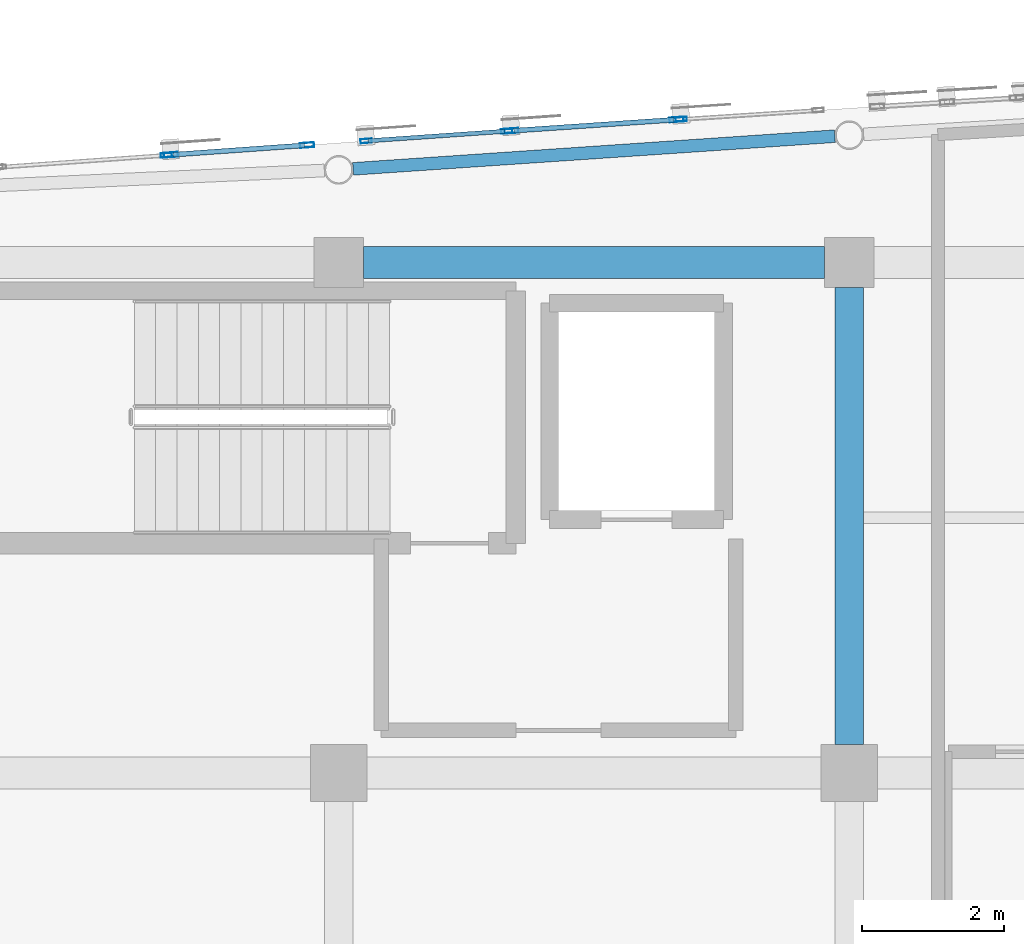
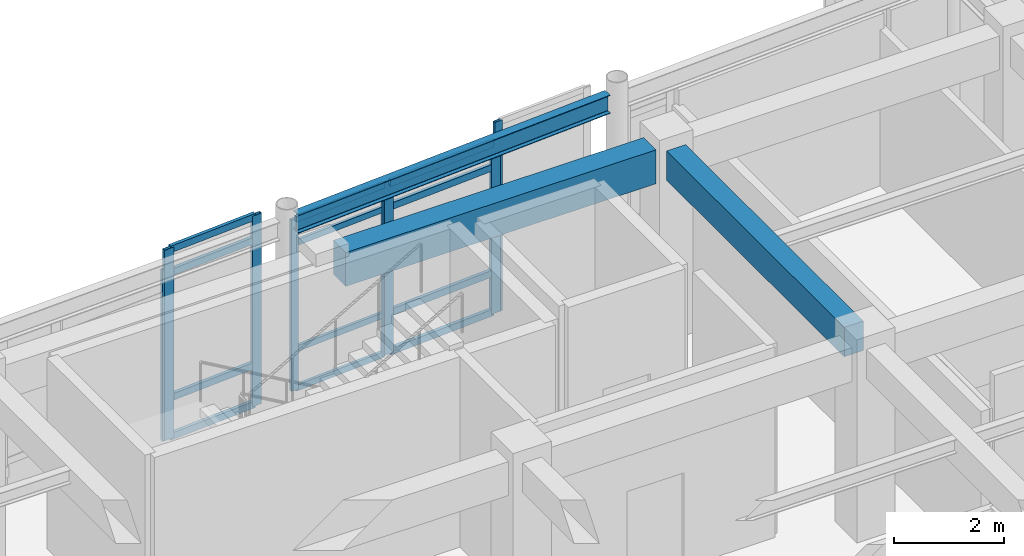
# One storey, part 32 of 106: 20 members, 3 beams, 5 elements without a shape of their own.
"""IFC4 building model written with IfcOpenShell, lengths in metres."""

import ifcopenshell
import ifcopenshell.guid

model = None  # the IFC model being written
_history = None  # IfcOwnerHistory: only IFC2X3 demands one
_inside = {}  # id of a spatial element -> (the spatial element, [elements in it])
_under = {}  # id of a project, library or spatial element -> (it, [spatial elements below it])
_declared = {}  # id of a project -> (the project, [libraries it declares])
_typed = {}  # id of a type object -> (the type object, [elements of that type])
_made_of = {}  # id of a material, layer set ... -> (it, [elements and type objects made of it])


def new_model(schema):
    """Start an empty IFC model of exactly this schema.

    Asked for "IFC4X3", IfcOpenShell would pick the latest addendum, in which some entities
    have other attributes; the version numbers below select the first issue.
    IFC2X3 requires an IfcOwnerHistory on every rooted entity: one is made here for all.
    """
    global model, _history
    if schema == "IFC4X3":
        model = ifcopenshell.file(schema_version=(4, 3, 0, 0))
    else:
        model = ifcopenshell.file(schema=schema)
    _inside.clear()
    _under.clear()
    _declared.clear()
    _typed.clear()
    _made_of.clear()
    _history = None
    if model.schema == "IFC2X3":
        org = make("IfcOrganization", Name="unknown")
        user = make(
            "IfcPersonAndOrganization",
            ThePerson=make("IfcPerson", FamilyName="unknown"),
            TheOrganization=org,
        )
        app = make(
            "IfcApplication",
            ApplicationDeveloper=org,
            Version="unknown",
            ApplicationFullName="unknown",
            ApplicationIdentifier="unknown",
        )
        _history = make(
            "IfcOwnerHistory",
            OwningUser=user,
            OwningApplication=app,
            ChangeAction="ADDED",
            CreationDate=0,
        )
    return model


def make(cls, **values):
    """One entity of the class cls with the attributes given. An attribute that is None is left unset."""
    return model.create_entity(
        cls, **{name: value for name, value in values.items() if value is not None}
    )


def rooted(cls, **values):
    """An entity with a GlobalId (a new one), such as an element, a storey or a relation."""
    return make(cls, GlobalId=ifcopenshell.guid.new(), OwnerHistory=_history, **values)


def si_unit(unit_type, name, prefix=None):
    """IfcSIUnit, for example si_unit("LENGTHUNIT", "METRE", prefix="MILLI")."""
    return make("IfcSIUnit", UnitType=unit_type, Prefix=prefix, Name=name)


def assignment(units):
    """IfcUnitAssignment: the units of a project."""
    return None if units is None else make("IfcUnitAssignment", Units=units)


def point(xyz):
    """IfcCartesianPoint."""
    return None if xyz is None else make("IfcCartesianPoint", Coordinates=xyz)


def direction(xyz):
    """IfcDirection."""
    return None if xyz is None else make("IfcDirection", DirectionRatios=xyz)


def frame(location, z_axis=None, x_axis=None):
    """IfcAxis2Placement3D, a coordinate frame: its origin and axes. An axis left out is left unset."""
    return make(
        "IfcAxis2Placement3D",
        Location=point(location),
        Axis=direction(z_axis),
        RefDirection=direction(x_axis),
    )


def frame_2d(location, x_axis=None):
    """IfcAxis2Placement2D, a coordinate frame in the plane: its origin and x axis."""
    return make(
        "IfcAxis2Placement2D", Location=point(location), RefDirection=direction(x_axis)
    )


def origin():
    """The frame at (0, 0, 0) with its axes left unset."""
    return frame((0.0, 0.0, 0.0))


def origin_2d():
    """The frame at (0, 0) in the plane with its x axis left unset."""
    return frame_2d((0.0, 0.0))


def place(relative_to, where):
    """IfcLocalPlacement: puts the frame where relative to a parent placement (None: the world)."""
    return make(
        "IfcLocalPlacement", PlacementRelTo=relative_to, RelativePlacement=where
    )


def context(
    kind, dimensions, precision=None, world=None, true_north=None, identifier=None
):
    """IfcGeometricRepresentationContext, for example the 3D "Model" context."""
    return make(
        "IfcGeometricRepresentationContext",
        ContextIdentifier=identifier,
        ContextType=kind,
        CoordinateSpaceDimension=dimensions,
        Precision=precision,
        WorldCoordinateSystem=world,
        TrueNorth=true_north,
    )


def subcontext(parent, identifier, kind, view, scale=None):
    """IfcGeometricRepresentationSubContext, for example "Body" below "Model"."""
    return make(
        "IfcGeometricRepresentationSubContext",
        ContextIdentifier=identifier,
        ContextType=kind,
        ParentContext=parent,
        TargetScale=scale,
        TargetView=view,
    )


def project(units=None, contexts=None):
    """IfcProject with its units and contexts."""
    return rooted(
        "IfcProject",
        Name="project",
        RepresentationContexts=contexts,
        UnitsInContext=assignment(units),
    )


def spatial(cls, under=None, at=None, **own):
    """A site, building, storey or space (cls), placed at a placement, below another one or the project."""
    s = rooted(cls, ObjectPlacement=at, **own)
    if under is not None:
        _under.setdefault(under.id(), (under, []))[1].append(s)
    return s


def profile(cls, at=None, kind="AREA", **sizes):
    """A parametric profile (cls). Its sizes go by their IFC names, for example OverallWidth=200.0."""
    return make(cls, ProfileType=kind, Position=at, **sizes)


def rectangle(**sizes):
    """IfcRectangleProfileDef."""
    return profile("IfcRectangleProfileDef", **sizes)


def hollow_rectangle(**sizes):
    """IfcRectangleHollowProfileDef."""
    return profile("IfcRectangleHollowProfileDef", **sizes)


def i_section(**sizes):
    """IfcIShapeProfileDef."""
    return profile("IfcIShapeProfileDef", **sizes)


def extrude(swept, where, along, depth):
    """IfcExtrudedAreaSolid: the profile swept, set in the frame where, extruded along a direction by depth."""
    return make(
        "IfcExtrudedAreaSolid",
        SweptArea=swept,
        Position=where,
        ExtrudedDirection=direction(along),
        Depth=depth,
    )


def shape(context_of_items, identifier, shape_type, items):
    """IfcShapeRepresentation: the items that make up one representation, for example the "Body"."""
    return make(
        "IfcShapeRepresentation",
        ContextOfItems=context_of_items,
        RepresentationIdentifier=identifier,
        RepresentationType=shape_type,
        Items=items,
    )


def material(Name=None, Category=None):
    """IfcMaterial."""
    return make("IfcMaterial", Name=Name, Category=Category)


def layer(
    of_material, thickness, ventilated=None, Name=None, Category=None, Priority=None
):
    """IfcMaterialLayer: one layer of a wall or slab, of a material (None: an air gap)."""
    return make(
        "IfcMaterialLayer",
        Material=of_material,
        LayerThickness=thickness,
        IsVentilated=ventilated,
        Name=Name,
        Category=Category,
        Priority=Priority,
    )


def layer_set(layers, Name=None):
    """IfcMaterialLayerSet."""
    return make("IfcMaterialLayerSet", MaterialLayers=layers, LayerSetName=Name)


def material_profile(
    of_material, cross_section, Name=None, Category=None, Priority=None
):
    """IfcMaterialProfile: a cross section and its material."""
    return make(
        "IfcMaterialProfile",
        Name=Name,
        Material=of_material,
        Profile=cross_section,
        Priority=Priority,
        Category=Category,
    )


def profile_set(profiles, Name=None, composite=None):
    """IfcMaterialProfileSet."""
    return make(
        "IfcMaterialProfileSet",
        Name=Name,
        MaterialProfiles=profiles,
        CompositeProfile=composite,
    )


def made_of(thing, what):
    """Note that an element or type object is made of a material, layer set ...; save() writes the relation."""
    if what is not None:
        _made_of.setdefault(what.id(), (what, []))[1].append(thing)
    return thing


def type_object(cls, material=None, **own):
    """A type object (cls), such as IfcWallType, which elements share."""
    return made_of(rooted(cls, **own), material)


def element(
    cls,
    number,
    at=None,
    inside=None,
    cuts=None,
    type_object=None,
    material=None,
    context=None,
    identifier="Body",
    shape_type=None,
    held_by="IfcProductDefinitionShape",
    body=None,
    shapes=None,
    **own,
):
    """One element of the class cls, such as IfcWall. Its Tag is "e" and its number.

    at: its placement. inside: the storey or other place that contains it. cuts: it is an
    opening in that element (IfcRelVoidsElement). A single representation is given by context,
    identifier, shape_type and body (its items); several are given by shapes. held_by: the class
    of the entity that holds the representations. save() writes the other relations.
    """
    e = rooted(cls, Tag="e%d" % number, ObjectPlacement=at, **own)
    if body is not None:
        shapes = [shape(context, identifier, shape_type, body)]
    if shapes is not None:
        e.Representation = make(held_by, Representations=shapes)
    if inside is not None:
        _inside.setdefault(inside.id(), (inside, []))[1].append(e)
    if cuts is not None:
        rooted(
            "IfcRelVoidsElement", RelatingBuildingElement=cuts, RelatedOpeningElement=e
        )
    if type_object is not None:
        _typed.setdefault(type_object.id(), (type_object, []))[1].append(e)
    return made_of(e, material)


def aggregate(whole, parts):
    """IfcRelAggregates: a whole, such as a stair, and the parts it consists of."""
    return rooted("IfcRelAggregates", RelatingObject=whole, RelatedObjects=parts)


def save(model, path):
    """Write the relations noted so far, then the file.

    IfcRelAggregates (storeys below a building ...), IfcRelContainedInSpatialStructure (elements
    in a storey), IfcRelDefinesByType, IfcRelAssociatesMaterial and IfcRelDeclares: one each for
    every whole, place, type object, material and project.
    """
    for whole, parts in _under.values():
        aggregate(whole, parts)
    for where, things in _inside.values():
        rooted(
            "IfcRelContainedInSpatialStructure",
            RelatedElements=things,
            RelatingStructure=where,
        )
    for kind, things in _typed.values():
        rooted("IfcRelDefinesByType", RelatedObjects=things, RelatingType=kind)
    for what, things in _made_of.values():
        rooted("IfcRelAssociatesMaterial", RelatedObjects=things, RelatingMaterial=what)
    for by, libraries in _declared.values():
        rooted("IfcRelDeclares", RelatingContext=by, RelatedDefinitions=libraries)
    model.write(path)


model = new_model("IFC4")

# Units and contexts
model_context = context("Model", 3, precision=1e-05, world=origin(), true_north=direction((0.0, 1.0)))
body_context = subcontext(model_context, "Body", "Model", "MODEL_VIEW")
ifc_project = project(units=[si_unit("LENGTHUNIT", "METRE"), si_unit("AREAUNIT", "SQUARE_METRE"), si_unit("VOLUMEUNIT", "CUBIC_METRE"), si_unit("PLANEANGLEUNIT", "RADIAN"), si_unit("MASSUNIT", "GRAM", prefix="KILO")], contexts=[model_context])

# Site, building, storey
site_placement = place(None, origin())
site = spatial("IfcSite", under=ifc_project, at=site_placement, CompositionType="ELEMENT")
building_placement = place(site_placement, origin())
building = spatial("IfcBuilding", under=site, at=building_placement, Name="Carrowvane Square Congress Hotel", CompositionType="ELEMENT")
storey_placement = place(building_placement, frame((0.0, 0.0, 10.5)))
storey = spatial("IfcBuildingStorey", under=building, at=storey_placement, Name="L02", CompositionType="ELEMENT", Elevation=10.5)

# Beams
ifc_material_1 = material(Name="Concrete C35/45", Category="concrete")
ifc_material_profile_1 = material_profile(ifc_material_1, rectangle(XDim=0.39990234375, YDim=0.64990234375, at=origin_2d()), Name="RC 400x650")
ifc_profile_set_1 = profile_set([ifc_material_profile_1], Name="Concrete C35/45")
beam_type_1 = type_object("IfcBeamType", Name="BM-RC-400x650", PredefinedType="BEAM", material=ifc_profile_set_1)
beam_1_placement = place(storey_placement, frame((69.199951171875, 106.60009765625, 3.89501953125), z_axis=(0.0, 1.0, 0.0), x_axis=(-1.0, 0.0, 0.0)))
element("IfcBeam", 1, at=beam_1_placement, inside=storey, type_object=beam_type_1, Name="L03 girder 9/Q-R", PredefinedType="BEAM", context=body_context, shape_type="SweptSolid", body=[
    extrude(rectangle(XDim=0.39990234375, YDim=0.64990234375, at=origin_2d()), origin(), (0.0, 0.0, 1.0), 6.449951171875),
])
ifc_material_2 = material(Name="Concrete C35/45", Category="concrete")
ifc_material_profile_2 = material_profile(ifc_material_2, rectangle(XDim=0.449951171875, YDim=0.75, at=origin_2d()), Name="RC 450x750")
ifc_profile_set_2 = profile_set([ifc_material_profile_2], Name="Concrete C35/45")
beam_type_2 = type_object("IfcBeamType", Name="BM-RC-450x750", PredefinedType="USERDEFINED", material=ifc_profile_set_2)
beam_2_placement = place(storey_placement, frame((62.35009765625, 113.39990234375, 3.844970703125), z_axis=(1.0, 0.0, 0.0), x_axis=(0.0, 1.0, 0.0)))
element("IfcBeam", 2, at=beam_2_placement, inside=storey, type_object=beam_type_2, Name="L03 girder R/8-9", ObjectType="GIRDER", PredefinedType="USERDEFINED", context=body_context, shape_type="SweptSolid", body=[
    extrude(rectangle(XDim=0.449951171875, YDim=0.75, at=origin_2d()), origin(), (0.0, 0.0, 1.0), 6.5),
])
ifc_material_3 = material(Name="Steel S355", Category="steel")
ifc_material_profile_3 = material_profile(ifc_material_3, i_section(OverallWidth=0.1787109375, OverallDepth=0.409423828125, WebThickness=0.0087890625, FlangeThickness=0.014404296875, FilletRadius=0.01025390625, at=origin_2d()), Name="UKB 406x178x67")
ifc_profile_set_3 = profile_set([ifc_material_profile_3], Name="Steel S355")
beam_type_3 = type_object("IfcBeamType", Name="BM-ST-UKB406", PredefinedType="BEAM", material=ifc_profile_set_3)
beam_3_placement = place(storey_placement, frame((62.20263671875, 114.7197265625, 4.015380859375), z_axis=(0.997706912919, 0.067682463857, 0.0), x_axis=(-0.067682463857, 0.997706912919, 0.0)))
element("IfcBeam", 3, at=beam_3_placement, inside=storey, type_object=beam_type_3, Name="L03 curved north spandrel", PredefinedType="BEAM", context=body_context, shape_type="SweptSolid", body=[
    extrude(i_section(OverallWidth=0.1787109375, OverallDepth=0.409423828125, WebThickness=0.0087890625, FlangeThickness=0.014404296875, FilletRadius=0.01025390625, at=origin_2d()), origin(), (0.0, 0.0, 1.0), 6.810302734375),
])

# Curtain wall, member
ifc_material_4 = material(Name="Anodised aluminium", Category="aluminium")
ifc_layer_1 = layer(ifc_material_4, 0.18603515625)
ifc_layer_set_1 = layer_set([ifc_layer_1], Name="Anodised aluminium")
curtain_wall_type_1 = type_object("IfcCurtainWallType", Name="CW-SYS-3", PredefinedType="NOTDEFINED", material=ifc_layer_set_1)
curtain_wall_1_placement = place(storey_placement, origin())
curtain_wall_1 = element("IfcCurtainWall", 4, at=curtain_wall_1_placement, inside=storey, type_object=curtain_wall_type_1, Name="L02 unitised curtain wall 138", PredefinedType="NOTDEFINED")
ifc_material_5 = material(Name="Anodised aluminium", Category="aluminium")
ifc_material_profile_4 = material_profile(ifc_material_5, hollow_rectangle(XDim=0.06005859375, YDim=0.159912109375, WallThickness=0.00390625, at=origin_2d()), Name="CW-ML 60x160x4")
ifc_profile_set_4 = profile_set([ifc_material_profile_4], Name="Anodised aluminium")
member_type_1 = type_object("IfcMemberType", Name="CW-MUL-1", PredefinedType="MULLION", material=ifc_profile_set_4)
member_1_placement = place(storey_placement, frame((59.570068359375, 114.9130859375, 0.0), z_axis=(0.0, 0.0, 1.0), x_axis=(-0.071531759512, 0.997438322595, 0.0)))
member_1 = element("IfcMember", 5, at=member_1_placement, type_object=member_type_1, Name="CW-3 mullion 2", PredefinedType="MULLION", context=body_context, shape_type="SweptSolid", body=[
    extrude(hollow_rectangle(XDim=0.06005859375, YDim=0.159912109375, WallThickness=0.00390625, at=origin_2d()), origin(), (0.0, 0.0, 1.0), 3.795654296875),
])
aggregate(curtain_wall_1, [member_1])

# Curtain wall, members
ifc_material_6 = material(Name="Anodised aluminium", Category="aluminium")
ifc_layer_2 = layer(ifc_material_6, 0.2099609375)
ifc_layer_set_2 = layer_set([ifc_layer_2], Name="Anodised aluminium")
curtain_wall_type_2 = type_object("IfcCurtainWallType", Name="CW-SYS-5", PredefinedType="NOTDEFINED", material=ifc_layer_set_2)
curtain_wall_2_placement = place(storey_placement, origin())
curtain_wall_2 = element("IfcCurtainWall", 6, at=curtain_wall_2_placement, inside=storey, type_object=curtain_wall_type_2, Name="L02 unitised curtain wall 140", PredefinedType="NOTDEFINED")
member_2_placement = place(storey_placement, frame((62.38720703125, 115.113037109375, 0.0), z_axis=(0.0, 0.0, 1.0), x_axis=(-0.069723822092, 0.997566332949, 0.0)))
member_2 = element("IfcMember", 7, at=member_2_placement, type_object=member_type_1, Name="CW-5 mullion 1", PredefinedType="MULLION", context=body_context, shape_type="SweptSolid", body=[
    extrude(hollow_rectangle(XDim=0.06005859375, YDim=0.159912109375, WallThickness=0.00390625, at=origin_2d()), origin(), (0.0, 0.0, 1.0), 3.795654296875),
])
member_3_placement = place(storey_placement, frame((64.3701171875, 115.251708984375, 0.0), z_axis=(0.0, 0.0, 1.0), x_axis=(-0.069723822092, 0.997566332949, 0.0)))
member_3 = element("IfcMember", 8, at=member_3_placement, type_object=member_type_1, Name="CW-5 mullion 2", PredefinedType="MULLION", context=body_context, shape_type="SweptSolid", body=[
    extrude(hollow_rectangle(XDim=0.06005859375, YDim=0.159912109375, WallThickness=0.00390625, at=origin_2d()), origin(), (0.0, 0.0, 1.0), 3.795654296875),
])

# Curtain wall, member
ifc_material_7 = material(Name="Anodised aluminium", Category="aluminium")
ifc_layer_3 = layer(ifc_material_7, 0.23388671875)
ifc_layer_set_3 = layer_set([ifc_layer_3], Name="Anodised aluminium")
curtain_wall_type_3 = type_object("IfcCurtainWallType", Name="CW-SYS-7", PredefinedType="NOTDEFINED", material=ifc_layer_set_3)
curtain_wall_3_placement = place(storey_placement, origin())
curtain_wall_3 = element("IfcCurtainWall", 9, at=curtain_wall_3_placement, inside=storey, type_object=curtain_wall_type_3, Name="L02 unitised curtain wall 142", PredefinedType="NOTDEFINED")
member_4_placement = place(storey_placement, frame((66.829833984375, 115.4189453125, 0.0), z_axis=(0.0, 0.0, 1.0), x_axis=(-0.065412223074, 0.997858327155, 0.0)))
member_4 = element("IfcMember", 10, at=member_4_placement, type_object=member_type_1, Name="CW-7 mullion 1", PredefinedType="MULLION", context=body_context, shape_type="SweptSolid", body=[
    extrude(hollow_rectangle(XDim=0.06005859375, YDim=0.159912109375, WallThickness=0.00390625, at=origin_2d()), origin(), (0.0, 0.0, 1.0), 4.219970703125),
])
aggregate(curtain_wall_3, [member_4])

# Curtain wall, members
ifc_material_8 = material(Name="Anodised aluminium", Category="aluminium")
ifc_layer_4 = layer(ifc_material_8, 0.197998046875)
ifc_layer_set_4 = layer_set([ifc_layer_4], Name="Anodised aluminium")
curtain_wall_type_4 = type_object("IfcCurtainWallType", Name="CW-SYS-4", PredefinedType="NOTDEFINED", material=ifc_layer_set_4)
curtain_wall_4_placement = place(storey_placement, origin())
curtain_wall_4 = element("IfcCurtainWall", 11, at=curtain_wall_4_placement, inside=storey, type_object=curtain_wall_type_4, Name="L02 unitised curtain wall 139", PredefinedType="NOTDEFINED")
ifc_material_9 = material(Name="Anodised aluminium", Category="aluminium")
ifc_material_profile_5 = material_profile(ifc_material_9, hollow_rectangle(XDim=0.070068359375, YDim=0.199951171875, WallThickness=0.0048828125, at=origin_2d()), Name="CW-ML 70x200x5")
ifc_profile_set_5 = profile_set([ifc_material_profile_5], Name="Anodised aluminium")
member_type_2 = type_object("IfcMemberType", Name="CW-MUL-2", PredefinedType="MULLION", material=ifc_profile_set_5)
member_5_placement = place(storey_placement, frame((59.635009765625, 114.917724609375, 0.0), z_axis=(0.0, 0.0, 1.0), x_axis=(-0.070960217342, 0.997479146426, 0.0)))
member_5 = element("IfcMember", 12, at=member_5_placement, type_object=member_type_2, Name="CW-4 mullion 1", PredefinedType="MULLION", context=body_context, shape_type="SweptSolid", body=[
    extrude(hollow_rectangle(XDim=0.070068359375, YDim=0.199951171875, WallThickness=0.0048828125, at=origin_2d()), origin(), (0.0, 0.0, 1.0), 4.219970703125),
])
member_6_placement = place(storey_placement, frame((61.554443359375, 115.05419921875, 0.0), z_axis=(0.0, 0.0, 1.0), x_axis=(-0.070960217342, 0.997479146426, 0.0)))
member_6 = element("IfcMember", 13, at=member_6_placement, type_object=member_type_2, Name="CW-4 mullion 2", PredefinedType="MULLION", context=body_context, shape_type="SweptSolid", body=[
    extrude(hollow_rectangle(XDim=0.070068359375, YDim=0.199951171875, WallThickness=0.0048828125, at=origin_2d()), origin(), (0.0, 0.0, 1.0), 4.219970703125),
])

ifc_material_10 = material(Name="Anodised aluminium", Category="aluminium")
ifc_layer_5 = layer(ifc_material_10, 0.221923828125)
ifc_layer_set_5 = layer_set([ifc_layer_5], Name="Anodised aluminium")
curtain_wall_type_5 = type_object("IfcCurtainWallType", Name="CW-SYS-6", PredefinedType="NOTDEFINED", material=ifc_layer_set_5)
curtain_wall_5_placement = place(storey_placement, origin())
curtain_wall_5 = element("IfcCurtainWall", 14, at=curtain_wall_5_placement, inside=storey, type_object=curtain_wall_type_5, Name="L02 unitised curtain wall 141", PredefinedType="NOTDEFINED")
member_7_placement = place(storey_placement, frame((64.434814453125, 115.256103515625, 0.0), z_axis=(0.0, 0.0, 1.0), x_axis=(-0.067865424104, 0.997694484404, 0.0)))
member_7 = element("IfcMember", 15, at=member_7_placement, type_object=member_type_2, Name="CW-6 mullion 1", PredefinedType="MULLION", context=body_context, shape_type="SweptSolid", body=[
    extrude(hollow_rectangle(XDim=0.070068359375, YDim=0.199951171875, WallThickness=0.0048828125, at=origin_2d()), origin(), (0.0, 0.0, 1.0), 3.795654296875),
])
member_8_placement = place(storey_placement, frame((66.76513671875, 115.41455078125, 0.0), z_axis=(0.0, 0.0, 1.0), x_axis=(-0.067865424104, 0.997694484404, 0.0)))
member_8 = element("IfcMember", 16, at=member_8_placement, type_object=member_type_2, Name="CW-6 mullion 2", PredefinedType="MULLION", context=body_context, shape_type="SweptSolid", body=[
    extrude(hollow_rectangle(XDim=0.070068359375, YDim=0.199951171875, WallThickness=0.0048828125, at=origin_2d()), origin(), (0.0, 0.0, 1.0), 3.795654296875),
])

# Member
ifc_material_11 = material(Name="Anodised aluminium", Category="aluminium")
ifc_material_profile_6 = material_profile(ifc_material_11, hollow_rectangle(XDim=0.06005859375, YDim=0.1298828125, WallThickness=0.00390625, at=origin_2d()), Name="CW-TR 60x130x4")
ifc_profile_set_6 = profile_set([ifc_material_profile_6], Name="Anodised aluminium")
member_type_3 = type_object("IfcMemberType", Name="CW-TRN-1", PredefinedType="USERDEFINED", material=ifc_profile_set_6)
member_9_placement = place(storey_placement, frame((62.4169921875, 115.115234375, 0.030029296875), z_axis=(0.997571214092, 0.069653950457, 0.0), x_axis=(-0.069653950457, 0.997571214092, 0.0)))
member_9 = element("IfcMember", 17, at=member_9_placement, type_object=member_type_3, Name="CW-5 transom 1.1", ObjectType="TRANSOM", PredefinedType="USERDEFINED", context=body_context, shape_type="SweptSolid", body=[
    extrude(hollow_rectangle(XDim=0.06005859375, YDim=0.1298828125, WallThickness=0.00390625, at=origin_2d()), origin(), (0.0, 0.0, 1.0), 1.927734375),
])

member_10_placement = place(storey_placement, frame((62.4169921875, 115.115234375, 0.89990234375), z_axis=(0.997571214092, 0.069653950457, 0.0), x_axis=(-0.069653950457, 0.997571214092, 0.0)))
member_10 = element("IfcMember", 18, at=member_10_placement, type_object=member_type_3, Name="CW-5 transom 1.2", ObjectType="TRANSOM", PredefinedType="USERDEFINED", context=body_context, shape_type="SweptSolid", body=[
    extrude(hollow_rectangle(XDim=0.06005859375, YDim=0.1298828125, WallThickness=0.00390625, at=origin_2d()), origin(), (0.0, 0.0, 1.0), 1.927734375),
])

member_11_placement = place(storey_placement, frame((62.4169921875, 115.115234375, 3.24560546875), z_axis=(0.997571214092, 0.069653950457, 0.0), x_axis=(-0.069653950457, 0.997571214092, 0.0)))
member_11 = element("IfcMember", 19, at=member_11_placement, type_object=member_type_3, Name="CW-5 transom 1.3", ObjectType="TRANSOM", PredefinedType="USERDEFINED", context=body_context, shape_type="SweptSolid", body=[
    extrude(hollow_rectangle(XDim=0.06005859375, YDim=0.1298828125, WallThickness=0.00390625, at=origin_2d()), origin(), (0.0, 0.0, 1.0), 1.927734375),
])

member_12_placement = place(storey_placement, frame((62.4169921875, 115.115234375, 3.765625), z_axis=(0.997571214092, 0.069653950457, 0.0), x_axis=(-0.069653950457, 0.997571214092, 0.0)))
member_12 = element("IfcMember", 20, at=member_12_placement, type_object=member_type_3, Name="CW-5 transom 1.4", ObjectType="TRANSOM", PredefinedType="USERDEFINED", context=body_context, shape_type="SweptSolid", body=[
    extrude(hollow_rectangle(XDim=0.06005859375, YDim=0.1298828125, WallThickness=0.00390625, at=origin_2d()), origin(), (0.0, 0.0, 1.0), 1.927734375),
])

aggregate(curtain_wall_2, [member_2, member_3, member_9, member_10, member_11, member_12])

ifc_material_12 = material(Name="Anodised aluminium", Category="aluminium")
ifc_material_profile_7 = material_profile(ifc_material_12, hollow_rectangle(XDim=0.070068359375, YDim=0.14990234375, WallThickness=0.0048828125, at=origin_2d()), Name="CW-TR 70x150x5")
ifc_profile_set_7 = profile_set([ifc_material_profile_7], Name="Anodised aluminium")
member_type_4 = type_object("IfcMemberType", Name="CW-TRN-2", PredefinedType="USERDEFINED", material=ifc_profile_set_7)
member_13_placement = place(storey_placement, frame((59.669921875, 114.920166015625, 0.034912109375), z_axis=(0.997478710533, 0.070966344374, 0.0), x_axis=(-0.070966344374, 0.997478710533, 0.0)))
member_13 = element("IfcMember", 21, at=member_13_placement, type_object=member_type_4, Name="CW-4 transom 1.1", ObjectType="TRANSOM", PredefinedType="USERDEFINED", context=body_context, shape_type="SweptSolid", body=[
    extrude(hollow_rectangle(XDim=0.070068359375, YDim=0.14990234375, WallThickness=0.0048828125, at=origin_2d()), origin(), (0.0, 0.0, 1.0), 1.854248046875),
])

member_14_placement = place(storey_placement, frame((59.669921875, 114.920166015625, 0.89990234375), z_axis=(0.997478710533, 0.070966344374, 0.0), x_axis=(-0.070966344374, 0.997478710533, 0.0)))
member_14 = element("IfcMember", 22, at=member_14_placement, type_object=member_type_4, Name="CW-4 transom 1.2", ObjectType="TRANSOM", PredefinedType="USERDEFINED", context=body_context, shape_type="SweptSolid", body=[
    extrude(hollow_rectangle(XDim=0.070068359375, YDim=0.14990234375, WallThickness=0.0048828125, at=origin_2d()), origin(), (0.0, 0.0, 1.0), 1.854248046875),
])

member_15_placement = place(storey_placement, frame((59.669921875, 114.920166015625, 3.669921875), z_axis=(0.997478710533, 0.070966344374, 0.0), x_axis=(-0.070966344374, 0.997478710533, 0.0)))
member_15 = element("IfcMember", 23, at=member_15_placement, type_object=member_type_4, Name="CW-4 transom 1.3", ObjectType="TRANSOM", PredefinedType="USERDEFINED", context=body_context, shape_type="SweptSolid", body=[
    extrude(hollow_rectangle(XDim=0.070068359375, YDim=0.14990234375, WallThickness=0.0048828125, at=origin_2d()), origin(), (0.0, 0.0, 1.0), 1.854248046875),
])

member_16_placement = place(storey_placement, frame((59.669921875, 114.920166015625, 4.18505859375), z_axis=(0.997478710533, 0.070966344374, 0.0), x_axis=(-0.070966344374, 0.997478710533, 0.0)))
member_16 = element("IfcMember", 24, at=member_16_placement, type_object=member_type_4, Name="CW-4 transom 1.4", ObjectType="TRANSOM", PredefinedType="USERDEFINED", context=body_context, shape_type="SweptSolid", body=[
    extrude(hollow_rectangle(XDim=0.070068359375, YDim=0.14990234375, WallThickness=0.0048828125, at=origin_2d()), origin(), (0.0, 0.0, 1.0), 1.854248046875),
])

aggregate(curtain_wall_4, [member_5, member_6, member_13, member_14, member_15, member_16])

member_17_placement = place(storey_placement, frame((64.4697265625, 115.258544921875, 0.034912109375), z_axis=(0.997700448763, 0.067777684661, 0.0), x_axis=(-0.067777684661, 0.997700448763, 0.0)))
member_17 = element("IfcMember", 25, at=member_17_placement, type_object=member_type_4, Name="CW-6 transom 1.1", ObjectType="TRANSOM", PredefinedType="USERDEFINED", context=body_context, shape_type="SweptSolid", body=[
    extrude(hollow_rectangle(XDim=0.070068359375, YDim=0.14990234375, WallThickness=0.0048828125, at=origin_2d()), origin(), (0.0, 0.0, 1.0), 2.265625),
])

member_18_placement = place(storey_placement, frame((64.4697265625, 115.258544921875, 0.89990234375), z_axis=(0.997700448763, 0.067777684661, 0.0), x_axis=(-0.067777684661, 0.997700448763, 0.0)))
member_18 = element("IfcMember", 26, at=member_18_placement, type_object=member_type_4, Name="CW-6 transom 1.2", ObjectType="TRANSOM", PredefinedType="USERDEFINED", context=body_context, shape_type="SweptSolid", body=[
    extrude(hollow_rectangle(XDim=0.070068359375, YDim=0.14990234375, WallThickness=0.0048828125, at=origin_2d()), origin(), (0.0, 0.0, 1.0), 2.265625),
])

member_19_placement = place(storey_placement, frame((64.4697265625, 115.258544921875, 3.24560546875), z_axis=(0.997700448763, 0.067777684661, 0.0), x_axis=(-0.067777684661, 0.997700448763, 0.0)))
member_19 = element("IfcMember", 27, at=member_19_placement, type_object=member_type_4, Name="CW-6 transom 1.3", ObjectType="TRANSOM", PredefinedType="USERDEFINED", context=body_context, shape_type="SweptSolid", body=[
    extrude(hollow_rectangle(XDim=0.070068359375, YDim=0.14990234375, WallThickness=0.0048828125, at=origin_2d()), origin(), (0.0, 0.0, 1.0), 2.265625),
])

member_20_placement = place(storey_placement, frame((64.4697265625, 115.258544921875, 3.760498046875), z_axis=(0.997700448763, 0.067777684661, 0.0), x_axis=(-0.067777684661, 0.997700448763, 0.0)))
member_20 = element("IfcMember", 28, at=member_20_placement, type_object=member_type_4, Name="CW-6 transom 1.4", ObjectType="TRANSOM", PredefinedType="USERDEFINED", context=body_context, shape_type="SweptSolid", body=[
    extrude(hollow_rectangle(XDim=0.070068359375, YDim=0.14990234375, WallThickness=0.0048828125, at=origin_2d()), origin(), (0.0, 0.0, 1.0), 2.265625),
])

aggregate(curtain_wall_5, [member_7, member_8, member_17, member_18, member_19, member_20])

save(model, "model.ifc")
